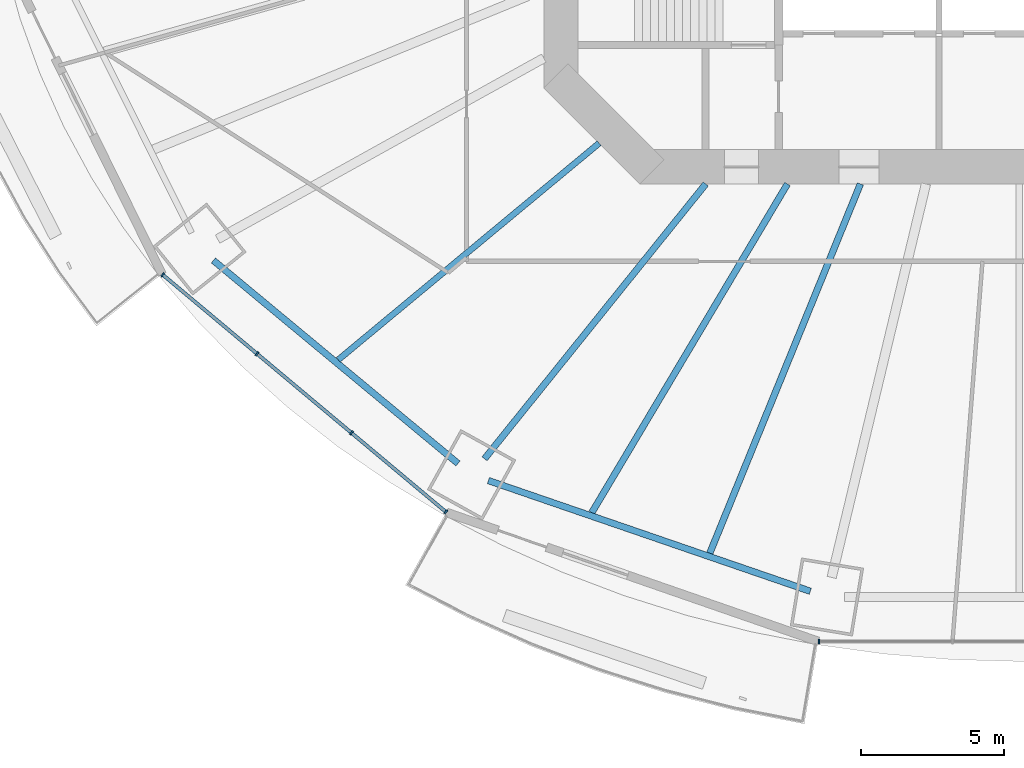
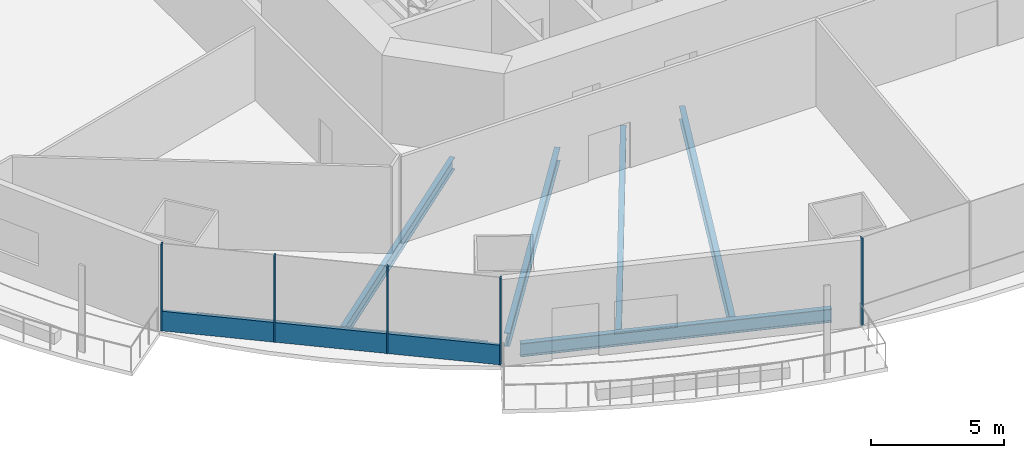
# One storey, part 2 of 23: 6 beams, 6 members, 2 elements without a shape of their own.
"""IFC4 building model written with IfcOpenShell, lengths in metres."""

from ifc_helpers import new_model, si_unit, direction, frame, origin, origin_2d, place, context, subcontext, project, spatial, rectangle, i_section, extrude, material, material_profile, profile_set, type_object, element, aggregate, save


model = new_model("IFC4")

# Units and contexts
model_context = context("Model", 3, precision=1e-05, world=origin(), true_north=direction((0.0, 1.0)))
body_context = subcontext(model_context, "Body", "Model", "MODEL_VIEW")
ifc_project = project(units=[si_unit("LENGTHUNIT", "METRE"), si_unit("AREAUNIT", "SQUARE_METRE"), si_unit("VOLUMEUNIT", "CUBIC_METRE"), si_unit("PLANEANGLEUNIT", "RADIAN"), si_unit("MASSUNIT", "GRAM", prefix="KILO")], contexts=[model_context])

# Site, building, storey
site_placement = place(None, origin())
site = spatial("IfcSite", under=ifc_project, at=site_placement, CompositionType="ELEMENT")
building_placement = place(site_placement, origin())
building = spatial("IfcBuilding", under=site, at=building_placement, Name="Marenthal Gate Tower", CompositionType="ELEMENT")
storey_placement = place(building_placement, frame((0.0, 0.0, 62.050048828125)))
storey = spatial("IfcBuildingStorey", under=building, at=storey_placement, Name="L11", CompositionType="ELEMENT", Elevation=62.050048828125)

# Curtain wall, members
ifc_material_1 = material(Name="Aluminium and glass", Category="aluminium")
curtain_wall_type = type_object("IfcCurtainWallType", Name="Curtain wall typical low", PredefinedType="NOTDEFINED", material=ifc_material_1)
curtain_wall_1_placement = place(storey_placement, origin())
curtain_wall_1 = element("IfcCurtainWall", 1, at=curtain_wall_1_placement, inside=storey, type_object=curtain_wall_type, Name="Curtain wall L11 bay 10", PredefinedType="NOTDEFINED")
ifc_material_2 = material(Name="Aluminium", Category="aluminium")
ifc_material_profile_1 = material_profile(ifc_material_2, rectangle(XDim=0.159912109375, YDim=0.06005859375, at=origin_2d()), Name="60x160 aluminium mullion")
ifc_profile_set_1 = profile_set([ifc_material_profile_1], Name="Aluminium")
member_type_1 = type_object("IfcMemberType", Name="Mullion 60x160 typical low", PredefinedType="MULLION", material=ifc_profile_set_1)
member_1_placement = place(storey_placement, frame((-29.90576171875, -16.76904296875, 0.0), z_axis=(0.0, 0.0, 1.0), x_axis=(0.642111737517, 0.766611059497, 0.0)))
member_1 = element("IfcMember", 2, at=member_1_placement, type_object=member_type_1, Name="Mullion L11 bay 10.1", PredefinedType="MULLION", context=body_context, shape_type="SweptSolid", body=[
    extrude(rectangle(XDim=0.159912109375, YDim=0.06005859375, at=origin_2d()), origin(), (0.0, 0.0, 1.0), 3.969970703125),
])
member_2_placement = place(storey_placement, frame((-26.61083984375, -19.529052734375, 0.0), z_axis=(0.0, 0.0, 1.0), x_axis=(0.642111737517, 0.766611059497, 0.0)))
member_2 = element("IfcMember", 3, at=member_2_placement, type_object=member_type_1, Name="Mullion L11 bay 10.2", PredefinedType="MULLION", context=body_context, shape_type="SweptSolid", body=[
    extrude(rectangle(XDim=0.159912109375, YDim=0.06005859375, at=origin_2d()), origin(), (0.0, 0.0, 1.0), 3.969970703125),
])
member_3_placement = place(storey_placement, frame((-23.315673828125, -22.288818359375, 0.0), z_axis=(0.0, 0.0, 1.0), x_axis=(0.642111737517, 0.766611059497, 0.0)))
member_3 = element("IfcMember", 4, at=member_3_placement, type_object=member_type_1, Name="Mullion L11 bay 10.3", PredefinedType="MULLION", context=body_context, shape_type="SweptSolid", body=[
    extrude(rectangle(XDim=0.159912109375, YDim=0.06005859375, at=origin_2d()), origin(), (0.0, 0.0, 1.0), 3.969970703125),
])
member_4_placement = place(storey_placement, frame((-20.020751953125, -25.048828125, 0.0), z_axis=(0.0, 0.0, 1.0), x_axis=(0.642111737517, 0.766611059497, 0.0)))
member_4 = element("IfcMember", 5, at=member_4_placement, type_object=member_type_1, Name="Mullion L11 bay 10.4", PredefinedType="MULLION", context=body_context, shape_type="SweptSolid", body=[
    extrude(rectangle(XDim=0.159912109375, YDim=0.06005859375, at=origin_2d()), origin(), (0.0, 0.0, 1.0), 3.969970703125),
])

# Curtain wall, member
curtain_wall_2_placement = place(storey_placement, origin())
curtain_wall_2 = element("IfcCurtainWall", 6, at=curtain_wall_2_placement, inside=storey, type_object=curtain_wall_type, Name="Curtain wall L11 bay 12", PredefinedType="NOTDEFINED")
member_5_placement = place(storey_placement, frame((-6.9921875, -29.569580078125, 0.0), z_axis=(0.0, 0.0, 1.0), x_axis=(0.0, 1.0, 0.0)))
member_5 = element("IfcMember", 7, at=member_5_placement, type_object=member_type_1, Name="Mullion L11 bay 12.1", PredefinedType="MULLION", context=body_context, shape_type="SweptSolid", body=[
    extrude(rectangle(XDim=0.159912109375, YDim=0.06005859375, at=origin_2d()), origin(), (0.0, 0.0, 1.0), 3.969970703125),
])
aggregate(curtain_wall_2, [member_5])

# Member
ifc_material_3 = material(Name="Aluminium", Category="aluminium")
ifc_material_profile_2 = material_profile(ifc_material_3, rectangle(XDim=0.1201171875, YDim=0.89990234375, at=origin_2d()), Name="120x900 aluminium transom")
ifc_profile_set_2 = profile_set([ifc_material_profile_2], Name="Aluminium")
member_type_2 = type_object("IfcMemberType", Name="Transom 120x900 typical low", PredefinedType="USERDEFINED", material=ifc_profile_set_2)
member_6_placement = place(storey_placement, frame((-29.8828125, -16.788330078125, 0.449951171875), z_axis=(0.766611330769, -0.642111413648, 0.0), x_axis=(0.642111413648, 0.766611330769, 0.0)))
member_6 = element("IfcMember", 8, at=member_6_placement, type_object=member_type_2, Name="Transom L11 bay 10", ObjectType="TRANSOM", PredefinedType="USERDEFINED", context=body_context, shape_type="SweptSolid", body=[
    extrude(rectangle(XDim=0.1201171875, YDim=0.89990234375, at=origin_2d()), origin(), (0.0, 0.0, 1.0), 12.83447265625),
])

aggregate(curtain_wall_1, [member_1, member_2, member_3, member_4, member_6])

# Beams
ifc_material_4 = material(Name="Steel S355", Category="steel")
ifc_material_profile_3 = material_profile(ifc_material_4, i_section(OverallWidth=0.2119140625, OverallDepth=0.5439453125, WebThickness=0.01318359375, FlangeThickness=0.021240234375, FilletRadius=0.0126953125, at=origin_2d()), Name="W530X123")
ifc_profile_set_3 = profile_set([ifc_material_profile_3], Name="Steel S355")
beam_type_1 = type_object("IfcBeamType", Name="W530X123 beam", PredefinedType="BEAM", material=ifc_profile_set_3)
beam_1_placement = place(storey_placement, frame((-23.77783203125, -19.73876953125, -0.4521484375), z_axis=(0.769432069778, 0.638728651304, 0.0), x_axis=(-0.638728651304, 0.769432069778, 0.0)))
element("IfcBeam", 9, at=beam_1_placement, inside=storey, type_object=beam_type_1, Name="BM-L11-31", PredefinedType="BEAM", context=body_context, shape_type="SweptSolid", body=[
    extrude(i_section(OverallWidth=0.2119140625, OverallDepth=0.5439453125, WebThickness=0.01318359375, FlangeThickness=0.021240234375, FilletRadius=0.0126953125, at=origin_2d()), origin(), (0.0, 0.0, 1.0), 11.8369140625),
])
ifc_material_5 = material(Name="Steel S355", Category="steel")
ifc_material_profile_4 = material_profile(ifc_material_5, i_section(OverallWidth=0.22900390625, OverallDepth=0.612060546875, WebThickness=0.011962890625, FlangeThickness=0.01953125, FilletRadius=0.0126953125, at=origin_2d()), Name="W610X125")
ifc_profile_set_4 = profile_set([ifc_material_profile_4], Name="Steel S355")
beam_type_2 = type_object("IfcBeamType", Name="W610X125 beam", PredefinedType="BEAM", material=ifc_profile_set_4)
beam_2_placement = place(storey_placement, frame((-18.669921875, -23.195068359375, -0.486083984375), z_axis=(0.62702730147, 0.778997280618, 0.0), x_axis=(-0.778997280618, 0.62702730147, 0.0)))
element("IfcBeam", 10, at=beam_2_placement, inside=storey, type_object=beam_type_2, Name="BM-L11-11", PredefinedType="BEAM", context=body_context, shape_type="SweptSolid", body=[
    extrude(i_section(OverallWidth=0.22900390625, OverallDepth=0.612060546875, WebThickness=0.011962890625, FlangeThickness=0.01953125, FilletRadius=0.0126953125, at=origin_2d()), origin(), (0.0, 0.0, 1.0), 12.317138671875),
])
beam_3_placement = place(storey_placement, frame((-14.9248046875, -25.07568359375, -0.486083984375), z_axis=(0.51146264721, 0.859305510578, 0.0), x_axis=(-0.859305510578, 0.51146264721, 0.0)))
element("IfcBeam", 11, at=beam_3_placement, inside=storey, type_object=beam_type_2, Name="BM-L11-32", PredefinedType="BEAM", context=body_context, shape_type="SweptSolid", body=[
    extrude(i_section(OverallWidth=0.22900390625, OverallDepth=0.612060546875, WebThickness=0.011962890625, FlangeThickness=0.01953125, FilletRadius=0.0126953125, at=origin_2d()), origin(), (0.0, 0.0, 1.0), 13.3544921875),
])
beam_4_placement = place(storey_placement, frame((-10.805908203125, -26.491943359375, -0.486083984375), z_axis=(0.377685635209, 0.925933885845, 0.0), x_axis=(-0.925933885845, 0.377685635209, 0.0)))
element("IfcBeam", 12, at=beam_4_placement, inside=storey, type_object=beam_type_2, Name="BM-L11-33", PredefinedType="BEAM", context=body_context, shape_type="SweptSolid", body=[
    extrude(i_section(OverallWidth=0.22900390625, OverallDepth=0.612060546875, WebThickness=0.011962890625, FlangeThickness=0.01953125, FilletRadius=0.0126953125, at=origin_2d()), origin(), (0.0, 0.0, 1.0), 13.923095703125),
])
beam_5_placement = place(storey_placement, frame((-28.135986328125, -16.26953125, -0.486083984375), z_axis=(0.769424366687, -0.63873793057, 0.0), x_axis=(0.63873793057, 0.769424366687, 0.0)))
element("IfcBeam", 13, at=beam_5_placement, inside=storey, type_object=beam_type_2, Name="BM-L11-50", PredefinedType="BEAM", context=body_context, shape_type="SweptSolid", body=[
    extrude(i_section(OverallWidth=0.22900390625, OverallDepth=0.612060546875, WebThickness=0.011962890625, FlangeThickness=0.01953125, FilletRadius=0.0126953125, at=origin_2d()), origin(), (0.0, 0.0, 1.0), 11.0986328125),
])
beam_6_placement = place(storey_placement, frame((-18.536376953125, -23.954833984375, -0.486083984375), z_axis=(0.945656601656, -0.325167021304, 0.0), x_axis=(0.325167021304, 0.945656601656, 0.0)))
element("IfcBeam", 14, at=beam_6_placement, inside=storey, type_object=beam_type_2, Name="BM-L11-51", PredefinedType="BEAM", context=body_context, shape_type="SweptSolid", body=[
    extrude(i_section(OverallWidth=0.22900390625, OverallDepth=0.612060546875, WebThickness=0.011962890625, FlangeThickness=0.01953125, FilletRadius=0.0126953125, at=origin_2d()), origin(), (0.0, 0.0, 1.0), 11.88623046875),
])

save(model, "model.ifc")
